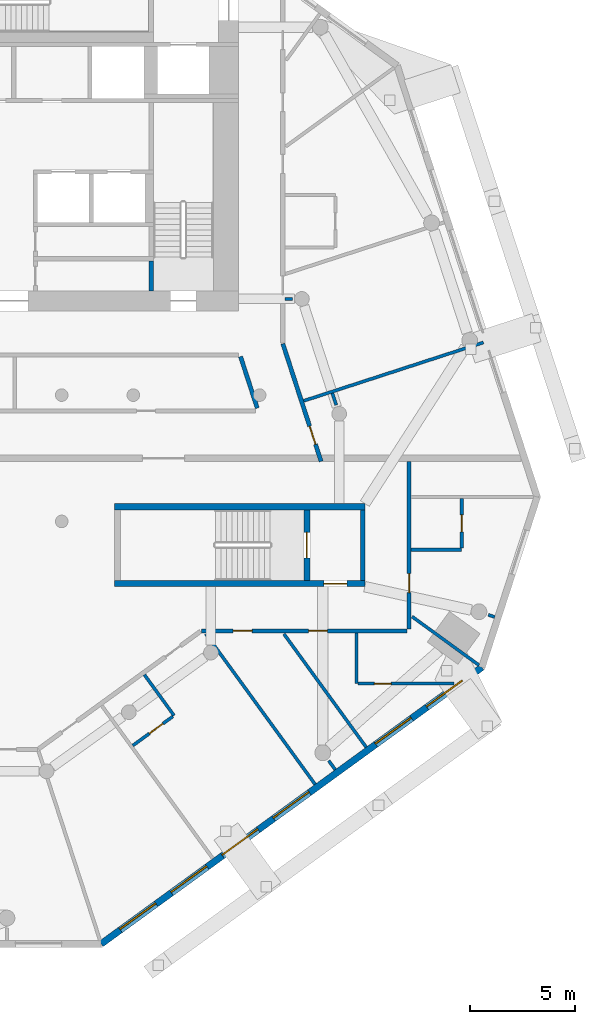
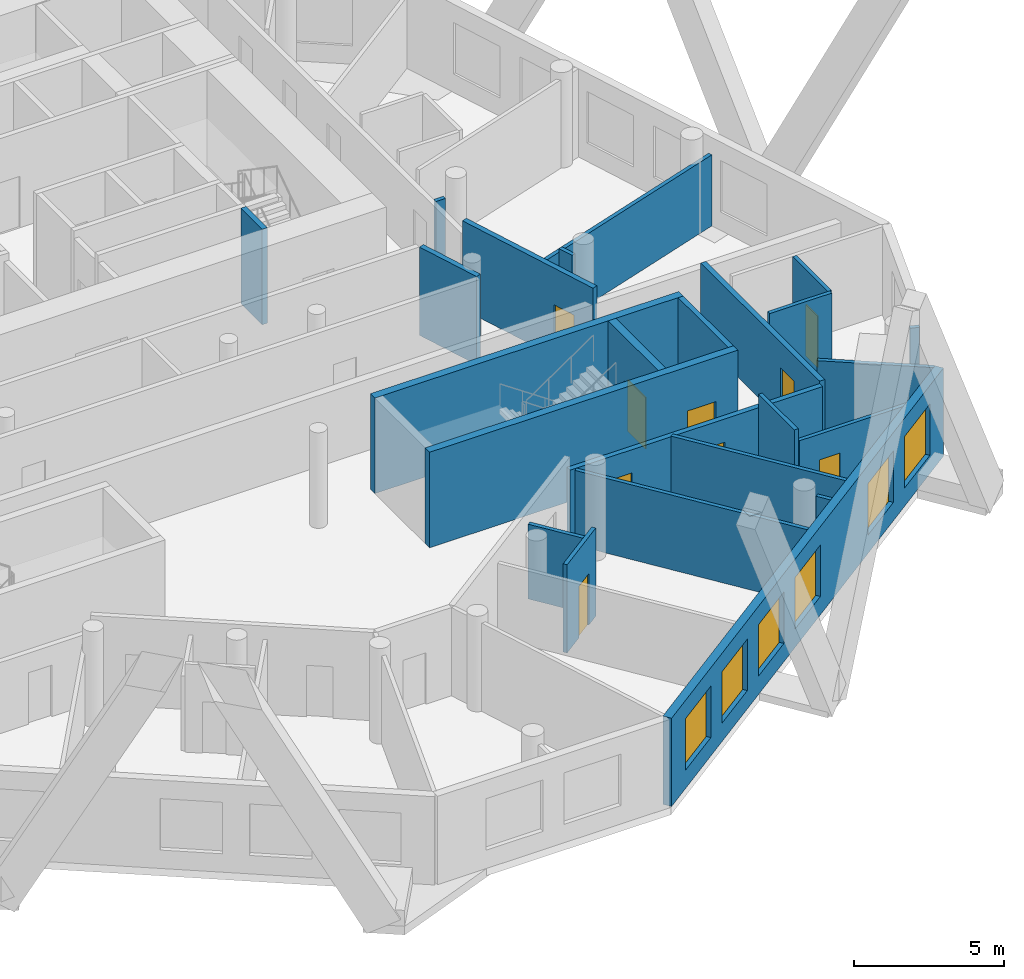
# One storey, part 5 of 10: 24 walls, 9 doors, 6 windows, 15 openings.
"""IFC4 building model written with IfcOpenShell, lengths in metres."""

from ifc_helpers import new_model, si_unit, direction, frame, frame_2d, origin, place, context, subcontext, project, spatial, rectangle, extrude, material, layer, layer_set, type_object, element, fill, save


model = new_model("IFC4")

# Units and contexts
model_context = context("Model", 3, precision=1e-05, world=origin(), true_north=direction((0.0, 1.0)))
body_context = subcontext(model_context, "Body", "Model", "MODEL_VIEW")
ifc_project = project(units=[si_unit("LENGTHUNIT", "METRE"), si_unit("AREAUNIT", "SQUARE_METRE"), si_unit("VOLUMEUNIT", "CUBIC_METRE"), si_unit("PLANEANGLEUNIT", "RADIAN"), si_unit("MASSUNIT", "GRAM", prefix="KILO")], contexts=[model_context])

# Site, building, storey
site_placement = place(None, origin())
site = spatial("IfcSite", under=ifc_project, at=site_placement, CompositionType="ELEMENT")
building_placement = place(site_placement, origin())
building = spatial("IfcBuilding", under=site, at=building_placement, Name="White Candle Pilgrim Tower", CompositionType="ELEMENT")
storey_placement = place(building_placement, frame((0.0, 0.0, 160.300048828125)))
storey = spatial("IfcBuildingStorey", under=building, at=storey_placement, Name="L36", CompositionType="ELEMENT", Elevation=160.300048828125)

# Wall
ifc_material_1 = material(Name="Concrete C60/75", Category="concrete")
ifc_layer_1 = layer(ifc_material_1, 0.199951171875)
ifc_layer_set_1 = layer_set([ifc_layer_1], Name="Core wall 200 mm Concrete C60/75")
wall_type_1 = type_object("IfcWallType", Name="Core wall 200 mm Concrete C60/75", PredefinedType="SHEAR", material=ifc_layer_set_1)
wall_1_placement = place(storey_placement, frame((86.89990234375, 58.199951171875, 0.0), z_axis=(0.0, 0.0, 1.0), x_axis=(0.0, 1.0, 0.0)))
element("IfcWall", 1, at=wall_1_placement, inside=storey, type_object=wall_type_1, Name="WL-L36-C08", PredefinedType="SHEAR", context=body_context, shape_type="SweptSolid", body=[
    extrude(rectangle(XDim=3.35009765625, YDim=0.199951171875, at=frame_2d((1.675048828125, 0.0))), origin(), (0.0, 0.0, 1.0), 3.89990234375),
])

# Wall, opening, door
ifc_material_2 = material(Name="Gypsum board on steel studs", Category="steel")
ifc_layer_2 = layer(ifc_material_2, 0.199951171875)
ifc_layer_set_2 = layer_set([ifc_layer_2], Name="Corridor wall 200 mm EI 45")
wall_type_2 = type_object("IfcWallType", Name="Corridor wall 200 mm EI 45", PredefinedType="PARTITIONING", material=ifc_layer_set_2)
wall_2_placement = place(storey_placement, frame((83.10498046875, 69.44189453125, 0.0), z_axis=(0.0, 0.0, 1.0), x_axis=(0.309018469575, -0.951056036972, 0.0)))
wall_2 = element("IfcWall", 2, at=wall_2_placement, inside=storey, type_object=wall_type_2, Name="WL-L36-P005", PredefinedType="PARTITIONING", context=body_context, shape_type="SweptSolid", body=[
    extrude(rectangle(XDim=5.879638671875, YDim=0.199951171875, at=frame_2d((2.93994140625, 0.0))), origin(), (0.0, 0.0, 1.0), 3.599853515625),
])
opening_1_placement = place(wall_2_placement, frame((4.11865234375, 0.0, 0.0)))
opening_1 = element("IfcOpeningElement", 3, at=opening_1_placement, cuts=wall_2, Name="Opening T11-133", PredefinedType="OPENING", context=body_context, shape_type="SweptSolid", body=[
    extrude(rectangle(XDim=0.89990234375, YDim=2.10009765625, at=frame_2d((0.449951171875, 1.050048828125))), frame((0.0, 0.10986328125, 0.0), z_axis=(0.0, -1.0, 0.0), x_axis=(1.0, 0.0, 0.0)), (0.0, 0.0, 1.0), 0.219970703125),
])
ifc_material_3 = material(Name="Steel door leaf", Category="steel")
door_type_1 = type_object("IfcDoorType", Name="Fire door 900 x 2100 EI 30", OperationType="NOTDEFINED", PredefinedType="DOOR", material=ifc_material_3)
door_1_placement = place(opening_1_placement, origin())
door_1 = element("IfcDoor", 4, at=door_1_placement, inside=storey, type_object=door_type_1, Name="Door T11-133", OperationType="SINGLE_SWING_LEFT", OverallHeight=2.10009765625, OverallWidth=0.89990234375, PredefinedType="DOOR", context=body_context, shape_type="SweptSolid", body=[
    extrude(rectangle(XDim=0.89990234375, YDim=2.10009765625, at=frame_2d((0.449951171875, 1.050048828125))), frame((0.0, 0.02490234375, 0.0), z_axis=(0.0, -1.0, 0.0), x_axis=(1.0, 0.0, 0.0)), (0.0, 0.0, 1.0), 0.050048828125),
])
fill(opening_1, door_1)

wall_3_placement = place(storey_placement, frame((89.10009765625, 63.85009765625, 0.0), z_axis=(0.0, 0.0, 1.0), x_axis=(0.0, -1.0, 0.0)))
wall_3 = element("IfcWall", 5, at=wall_3_placement, inside=storey, type_object=wall_type_2, Name="WL-L36-P006", PredefinedType="PARTITIONING", context=body_context, shape_type="SweptSolid", body=[
    extrude(rectangle(XDim=7.9501953125, YDim=0.199951171875, at=frame_2d((3.97509765625, 0.0))), origin(), (0.0, 0.0, 1.0), 3.14990234375),
])
opening_2_placement = place(wall_3_placement, frame((5.32861328125, 0.0, 0.0)))
opening_2 = element("IfcOpeningElement", 6, at=opening_2_placement, cuts=wall_3, Name="Opening T11-118", PredefinedType="OPENING", context=body_context, shape_type="SweptSolid", body=[
    extrude(rectangle(XDim=0.89990234375, YDim=2.10009765625, at=frame_2d((0.449951171875, 1.050048828125))), frame((0.0, 0.10986328125, 0.0), z_axis=(0.0, -1.0, 0.0), x_axis=(1.0, 0.0, 0.0)), (0.0, 0.0, 1.0), 0.219970703125),
])
door_2_placement = place(opening_2_placement, origin())
door_2 = element("IfcDoor", 7, at=door_2_placement, inside=storey, type_object=door_type_1, Name="Door T11-118", OperationType="SINGLE_SWING_RIGHT", OverallHeight=2.10009765625, OverallWidth=0.89990234375, PredefinedType="DOOR", context=body_context, shape_type="SweptSolid", body=[
    extrude(rectangle(XDim=0.89990234375, YDim=2.10009765625, at=frame_2d((0.449951171875, 1.050048828125))), frame((0.0, 0.02490234375, 0.0), z_axis=(0.0, -1.0, 0.0), x_axis=(1.0, 0.0, 0.0)), (0.0, 0.0, 1.0), 0.050048828125),
])
fill(opening_2, door_2)

# Wall, openings, doors
wall_4_placement = place(storey_placement, frame((89.0, 55.800048828125, 0.0), z_axis=(0.0, 0.0, 1.0), x_axis=(-1.0, 0.0, 0.0)))
wall_4 = element("IfcWall", 8, at=wall_4_placement, inside=storey, type_object=wall_type_2, Name="WL-L36-P007", PredefinedType="PARTITIONING", context=body_context, shape_type="SweptSolid", body=[
    extrude(rectangle(XDim=9.74853515625, YDim=0.199951171875, at=frame_2d((4.874267578125, 0.0))), origin(), (0.0, 0.0, 1.0), 3.050048828125),
])
opening_3_placement = place(wall_4_placement, frame((7.353515625, 0.0, 0.0)))
opening_3 = element("IfcOpeningElement", 9, at=opening_3_placement, cuts=wall_4, Name="Opening T11-114", PredefinedType="OPENING", context=body_context, shape_type="SweptSolid", body=[
    extrude(rectangle(XDim=0.89990234375, YDim=2.10009765625, at=frame_2d((0.449951171875, 1.050048828125))), frame((0.0, 0.10986328125, 0.0), z_axis=(0.0, -1.0, 0.0), x_axis=(1.0, 0.0, 0.0)), (0.0, 0.0, 1.0), 0.219970703125),
])
opening_4_placement = place(wall_4_placement, frame((3.77490234375, 0.0, 0.0)))
opening_4 = element("IfcOpeningElement", 10, at=opening_4_placement, cuts=wall_4, Name="Opening T11-116", PredefinedType="OPENING", context=body_context, shape_type="SweptSolid", body=[
    extrude(rectangle(XDim=0.89990234375, YDim=2.10009765625, at=frame_2d((0.449951171875, 1.050048828125))), frame((0.0, 0.10986328125, 0.0), z_axis=(0.0, -1.0, 0.0), x_axis=(1.0, 0.0, 0.0)), (0.0, 0.0, 1.0), 0.219970703125),
])
door_3_placement = place(opening_3_placement, origin())
door_3 = element("IfcDoor", 11, at=door_3_placement, inside=storey, type_object=door_type_1, Name="Door T11-114", OperationType="SINGLE_SWING_RIGHT", OverallHeight=2.10009765625, OverallWidth=0.89990234375, PredefinedType="DOOR", context=body_context, shape_type="SweptSolid", body=[
    extrude(rectangle(XDim=0.89990234375, YDim=2.10009765625, at=frame_2d((0.449951171875, 1.050048828125))), frame((0.0, 0.02490234375, 0.0), z_axis=(0.0, -1.0, 0.0), x_axis=(1.0, 0.0, 0.0)), (0.0, 0.0, 1.0), 0.050048828125),
])
fill(opening_3, door_3)
door_4_placement = place(opening_4_placement, origin())
door_4 = element("IfcDoor", 12, at=door_4_placement, inside=storey, type_object=door_type_1, Name="Door T11-116", OperationType="SINGLE_SWING_RIGHT", OverallHeight=2.10009765625, OverallWidth=0.89990234375, PredefinedType="DOOR", context=body_context, shape_type="SweptSolid", body=[
    extrude(rectangle(XDim=0.89990234375, YDim=2.10009765625, at=frame_2d((0.449951171875, 1.050048828125))), frame((0.0, 0.02490234375, 0.0), z_axis=(0.0, -1.0, 0.0), x_axis=(1.0, 0.0, 0.0)), (0.0, 0.0, 1.0), 0.050048828125),
])
fill(opening_4, door_4)

# Wall
wall_5_placement = place(storey_placement, frame((81.891357421875, 66.380859375, 0.0), z_axis=(0.0, 0.0, 1.0), x_axis=(-0.309053927645, 0.951044515155, 0.0)))
element("IfcWall", 13, at=wall_5_placement, inside=storey, type_object=wall_type_2, Name="WL-L36-P016", PredefinedType="PARTITIONING", context=body_context, shape_type="SweptSolid", body=[
    extrude(rectangle(XDim=2.576171875, YDim=0.199951171875, at=frame_2d((1.2880859375, 0.0))), origin(), (0.0, 0.0, 1.0), 3.599853515625),
])

# Wall, openings, windows
ifc_material_4 = material(Name="Precast concrete C40/50", Category="concrete")
ifc_layer_3 = layer(ifc_material_4, 0.320068359375)
ifc_layer_set_3 = layer_set([ifc_layer_3], Name="Facade wall EW1 precast concrete C40/50 pier wall with timber-lined reveals")
wall_type_3 = type_object("IfcWallType", Name="Facade wall EW1 precast concrete C40/50 pier wall with timber-lined reveals", PredefinedType="SOLIDWALL", material=ifc_layer_set_3)
wall_6_placement = place(storey_placement, frame((74.475341796875, 40.932373046875, 0.0), z_axis=(0.0, 0.0, 1.0), x_axis=(0.809019373805, 0.587781977274, 0.0)))
wall_6 = element("IfcWall", 14, at=wall_6_placement, inside=storey, type_object=wall_type_3, Name="Facade wall L36 SE", PredefinedType="SOLIDWALL", context=body_context, shape_type="SweptSolid", body=[
    extrude(rectangle(XDim=22.35302734375, YDim=0.320068359375, at=frame_2d((11.176513671875, 0.0))), origin(), (0.0, 0.0, 1.0), 3.599853515625),
])
opening_5_placement = place(wall_6_placement, frame((1.12646484375, 0.0, 0.75)))
opening_5 = element("IfcOpeningElement", 15, at=opening_5_placement, cuts=wall_6, Name="Opening W3", PredefinedType="OPENING", context=body_context, shape_type="SweptSolid", body=[
    extrude(rectangle(XDim=2.10009765625, YDim=2.10009765625, at=frame_2d((1.050048828125, 1.050048828125))), frame((0.0, 0.169921875, 0.0), z_axis=(0.0, -1.0, 0.0), x_axis=(1.0, 0.0, 0.0)), (0.0, 0.0, 1.0), 0.340087890625),
])
opening_6_placement = place(wall_6_placement, frame((4.12646484375, 0.0, 0.75)))
opening_6 = element("IfcOpeningElement", 16, at=opening_6_placement, cuts=wall_6, Name="Opening W3", PredefinedType="OPENING", context=body_context, shape_type="SweptSolid", body=[
    extrude(rectangle(XDim=2.10009765625, YDim=2.10009765625, at=frame_2d((1.050048828125, 1.050048828125))), frame((0.0, 0.169921875, 0.0), z_axis=(0.0, -1.0, 0.0), x_axis=(1.0, 0.0, 0.0)), (0.0, 0.0, 1.0), 0.340087890625),
])
opening_7_placement = place(wall_6_placement, frame((7.12646484375, 0.0, 0.75)))
opening_7 = element("IfcOpeningElement", 17, at=opening_7_placement, cuts=wall_6, Name="Opening W3", PredefinedType="OPENING", context=body_context, shape_type="SweptSolid", body=[
    extrude(rectangle(XDim=2.10009765625, YDim=2.10009765625, at=frame_2d((1.050048828125, 1.050048828125))), frame((0.0, 0.169921875, 0.0), z_axis=(0.0, -1.0, 0.0), x_axis=(1.0, 0.0, 0.0)), (0.0, 0.0, 1.0), 0.340087890625),
])
opening_8_placement = place(wall_6_placement, frame((10.12646484375, 0.0, 0.75)))
opening_8 = element("IfcOpeningElement", 18, at=opening_8_placement, cuts=wall_6, Name="Opening W3", PredefinedType="OPENING", context=body_context, shape_type="SweptSolid", body=[
    extrude(rectangle(XDim=2.10009765625, YDim=2.10009765625, at=frame_2d((1.050048828125, 1.050048828125))), frame((0.0, 0.169921875, 0.0), z_axis=(0.0, -1.0, 0.0), x_axis=(1.0, 0.0, 0.0)), (0.0, 0.0, 1.0), 0.340087890625),
])
opening_9_placement = place(wall_6_placement, frame((16.12646484375, 0.0, 0.75)))
opening_9 = element("IfcOpeningElement", 19, at=opening_9_placement, cuts=wall_6, Name="Opening W3", PredefinedType="OPENING", context=body_context, shape_type="SweptSolid", body=[
    extrude(rectangle(XDim=2.10009765625, YDim=2.10009765625, at=frame_2d((1.050048828125, 1.050048828125))), frame((0.0, 0.169921875, 0.0), z_axis=(0.0, -1.0, 0.0), x_axis=(1.0, 0.0, 0.0)), (0.0, 0.0, 1.0), 0.340087890625),
])
opening_10_placement = place(wall_6_placement, frame((19.12646484375, 0.0, 0.75)))
opening_10 = element("IfcOpeningElement", 20, at=opening_10_placement, cuts=wall_6, Name="Opening W3", PredefinedType="OPENING", context=body_context, shape_type="SweptSolid", body=[
    extrude(rectangle(XDim=2.10009765625, YDim=2.10009765625, at=frame_2d((1.050048828125, 1.050048828125))), frame((0.0, 0.169921875, 0.0), z_axis=(0.0, -1.0, 0.0), x_axis=(1.0, 0.0, 0.0)), (0.0, 0.0, 1.0), 0.340087890625),
])
ifc_material_5 = material(Name="Timber frame with triple glazing", Category="wood")
window_type = type_object("IfcWindowType", Name="Window W3 2100x2100 timber frame triple glazing", PartitioningType="SINGLE_PANEL", PredefinedType="WINDOW", material=ifc_material_5)
window_1_placement = place(opening_5_placement, origin())
window_1 = element("IfcWindow", 21, at=window_1_placement, inside=storey, type_object=window_type, Name="Window W3 L36 SE 1", OverallHeight=2.10009765625, OverallWidth=2.10009765625, PartitioningType="SINGLE_PANEL", PredefinedType="WINDOW", context=body_context, shape_type="SweptSolid", body=[
    extrude(rectangle(XDim=2.10009765625, YDim=2.10009765625, at=frame_2d((1.050048828125, 1.050048828125))), frame((0.0, 0.070068359375, 0.0), z_axis=(0.0, -1.0, 0.0), x_axis=(1.0, 0.0, 0.0)), (0.0, 0.0, 1.0), 0.06005859375),
])
fill(opening_5, window_1)
window_2_placement = place(opening_6_placement, origin())
window_2 = element("IfcWindow", 22, at=window_2_placement, inside=storey, type_object=window_type, Name="Window W3 L36 SE 2", OverallHeight=2.10009765625, OverallWidth=2.10009765625, PartitioningType="SINGLE_PANEL", PredefinedType="WINDOW", context=body_context, shape_type="SweptSolid", body=[
    extrude(rectangle(XDim=2.10009765625, YDim=2.10009765625, at=frame_2d((1.050048828125, 1.050048828125))), frame((0.0, 0.070068359375, 0.0), z_axis=(0.0, -1.0, 0.0), x_axis=(1.0, 0.0, 0.0)), (0.0, 0.0, 1.0), 0.06005859375),
])
fill(opening_6, window_2)
window_3_placement = place(opening_7_placement, origin())
window_3 = element("IfcWindow", 23, at=window_3_placement, inside=storey, type_object=window_type, Name="Window W3 L36 SE 3", OverallHeight=2.10009765625, OverallWidth=2.10009765625, PartitioningType="SINGLE_PANEL", PredefinedType="WINDOW", context=body_context, shape_type="SweptSolid", body=[
    extrude(rectangle(XDim=2.10009765625, YDim=2.10009765625, at=frame_2d((1.050048828125, 1.050048828125))), frame((0.0, 0.070068359375, 0.0), z_axis=(0.0, -1.0, 0.0), x_axis=(1.0, 0.0, 0.0)), (0.0, 0.0, 1.0), 0.06005859375),
])
fill(opening_7, window_3)
window_4_placement = place(opening_8_placement, origin())
window_4 = element("IfcWindow", 24, at=window_4_placement, inside=storey, type_object=window_type, Name="Window W3 L36 SE 4", OverallHeight=2.10009765625, OverallWidth=2.10009765625, PartitioningType="SINGLE_PANEL", PredefinedType="WINDOW", context=body_context, shape_type="SweptSolid", body=[
    extrude(rectangle(XDim=2.10009765625, YDim=2.10009765625, at=frame_2d((1.050048828125, 1.050048828125))), frame((0.0, 0.070068359375, 0.0), z_axis=(0.0, -1.0, 0.0), x_axis=(1.0, 0.0, 0.0)), (0.0, 0.0, 1.0), 0.06005859375),
])
fill(opening_8, window_4)
window_5_placement = place(opening_9_placement, origin())
window_5 = element("IfcWindow", 25, at=window_5_placement, inside=storey, type_object=window_type, Name="Window W3 L36 SE 6", OverallHeight=2.10009765625, OverallWidth=2.10009765625, PartitioningType="SINGLE_PANEL", PredefinedType="WINDOW", context=body_context, shape_type="SweptSolid", body=[
    extrude(rectangle(XDim=2.10009765625, YDim=2.10009765625, at=frame_2d((1.050048828125, 1.050048828125))), frame((0.0, 0.070068359375, 0.0), z_axis=(0.0, -1.0, 0.0), x_axis=(1.0, 0.0, 0.0)), (0.0, 0.0, 1.0), 0.06005859375),
])
fill(opening_9, window_5)
window_6_placement = place(opening_10_placement, origin())
window_6 = element("IfcWindow", 26, at=window_6_placement, inside=storey, type_object=window_type, Name="Window W3 L36 SE 7", OverallHeight=2.10009765625, OverallWidth=2.10009765625, PartitioningType="SINGLE_PANEL", PredefinedType="WINDOW", context=body_context, shape_type="SweptSolid", body=[
    extrude(rectangle(XDim=2.10009765625, YDim=2.10009765625, at=frame_2d((1.050048828125, 1.050048828125))), frame((0.0, 0.070068359375, 0.0), z_axis=(0.0, -1.0, 0.0), x_axis=(1.0, 0.0, 0.0)), (0.0, 0.0, 1.0), 0.06005859375),
])
fill(opening_10, window_6)

# Walls
ifc_layer_4 = layer(ifc_material_2, 0.14990234375)
ifc_layer_set_4 = layer_set([ifc_layer_4], Name="Partition 150 mm EI 60")
wall_type_4 = type_object("IfcWallType", Name="Partition 150 mm EI 60", PredefinedType="PARTITIONING", material=ifc_layer_set_4)
wall_7_placement = place(storey_placement, frame((92.423095703125, 54.169921875, 0.0), z_axis=(0.0, 0.0, 1.0), x_axis=(-0.809026161047, 0.587772635244, 0.0)))
element("IfcWall", 27, at=wall_7_placement, inside=storey, type_object=wall_type_4, Name="WL-L36-P022", PredefinedType="PARTITIONING", context=body_context, shape_type="SweptSolid", body=[
    extrude(rectangle(XDim=3.929443359375, YDim=0.14990234375, at=frame_2d((1.96484375, 0.0))), origin(), (0.0, 0.0, 1.0), 3.599853515625),
])
wall_8_placement = place(storey_placement, frame((84.63671875, 48.5126953125, 0.0), z_axis=(0.0, 0.0, 1.0), x_axis=(-0.587768822725, 0.809028930899, 0.0)))
element("IfcWall", 28, at=wall_8_placement, inside=storey, type_object=wall_type_4, Name="WL-L36-P041", PredefinedType="PARTITIONING", context=body_context, shape_type="SweptSolid", body=[
    extrude(rectangle(XDim=8.82958984375, YDim=0.14990234375, at=frame_2d((4.414794921875, 0.0))), origin(), (0.0, 0.0, 1.0), 3.050048828125),
])
wall_9_placement = place(storey_placement, frame((87.063720703125, 50.276123046875, 0.0), z_axis=(0.0, 0.0, 1.0), x_axis=(-0.587783062089, 0.809018585646, 0.0)))
element("IfcWall", 29, at=wall_9_placement, inside=storey, type_object=wall_type_4, Name="WL-L36-P042", PredefinedType="PARTITIONING", context=body_context, shape_type="SweptSolid", body=[
    extrude(rectangle(XDim=6.64990234375, YDim=0.14990234375, at=frame_2d((3.324951171875, 0.0))), origin(), (0.0, 0.0, 1.0), 3.14990234375),
])
wall_10_placement = place(storey_placement, frame((76.52685546875, 53.720458984375, 0.0), z_axis=(0.0, 0.0, 1.0), x_axis=(0.587772420479, -0.809026317077, 0.0)))
element("IfcWall", 30, at=wall_10_placement, inside=storey, type_object=wall_type_4, Name="WL-L36-P043", PredefinedType="PARTITIONING", context=body_context, shape_type="SweptSolid", body=[
    extrude(rectangle(XDim=2.39990234375, YDim=0.14990234375, at=frame_2d((1.199951171875, 0.0))), origin(), (0.0, 0.0, 1.0), 3.050048828125),
])

# Wall, opening, door
wall_11_placement = place(storey_placement, frame((75.9755859375, 50.353515625, 0.0), z_axis=(0.0, 0.0, 1.0), x_axis=(0.809032466197, 0.587763956567, 0.0)))
wall_11 = element("IfcWall", 31, at=wall_11_placement, inside=storey, type_object=wall_type_4, Name="WL-L36-P044", PredefinedType="PARTITIONING", context=body_context, shape_type="SweptSolid", body=[
    extrude(rectangle(XDim=2.35009765625, YDim=0.14990234375, at=frame_2d((1.175048828125, 0.0))), origin(), (0.0, 0.0, 1.0), 3.599853515625),
])
opening_11_placement = place(wall_11_placement, frame((0.97509765625, 0.0, 0.0)))
opening_11 = element("IfcOpeningElement", 32, at=opening_11_placement, cuts=wall_11, Name="Opening T11-112", PredefinedType="OPENING", context=body_context, shape_type="SweptSolid", body=[
    extrude(rectangle(XDim=0.800048828125, YDim=2.10009765625, at=frame_2d((0.39990234375, 1.050048828125))), frame((0.0, 0.0849609375, 0.0), z_axis=(0.0, -1.0, 0.0), x_axis=(1.0, 0.0, 0.0)), (0.0, 0.0, 1.0), 0.169921875),
])
door_type_2 = type_object("IfcDoorType", Name="Fire door 800 x 2100 EI 30", OperationType="NOTDEFINED", PredefinedType="DOOR", material=ifc_material_3)
door_5_placement = place(opening_11_placement, frame((0.800048828125, 0.0, 0.0), z_axis=(0.0, 0.0, 1.0), x_axis=(-1.0, 0.0, 0.0)))
door_5 = element("IfcDoor", 33, at=door_5_placement, inside=storey, type_object=door_type_2, Name="Door T11-112", OperationType="SINGLE_SWING_LEFT", OverallHeight=2.10009765625, OverallWidth=0.800048828125, PredefinedType="DOOR", context=body_context, shape_type="SweptSolid", body=[
    extrude(rectangle(XDim=0.800048828125, YDim=2.10009765625, at=frame_2d((0.39990234375, 1.050048828125))), frame((0.0, 0.02490234375, 0.0), z_axis=(0.0, -1.0, 0.0), x_axis=(1.0, 0.0, 0.0)), (0.0, 0.0, 1.0), 0.050048828125),
])
fill(opening_11, door_5)

# Wall
wall_12_placement = place(storey_placement, frame((86.60009765625, 55.699951171875, 0.0), z_axis=(0.0, 0.0, 1.0), x_axis=(0.0, -1.0, 0.0)))
element("IfcWall", 34, at=wall_12_placement, inside=storey, type_object=wall_type_4, Name="WL-L36-P045", PredefinedType="PARTITIONING", context=body_context, shape_type="SweptSolid", body=[
    extrude(rectangle(XDim=2.39990234375, YDim=0.14990234375, at=frame_2d((1.199951171875, 0.0))), origin(), (0.0, 0.0, 1.0), 3.599853515625),
])

# Wall, opening, door
wall_13_placement = place(storey_placement, frame((91.225830078125, 53.300048828125, 0.0), z_axis=(0.0, 0.0, 1.0), x_axis=(-1.0, 0.0, 0.0)))
wall_13 = element("IfcWall", 35, at=wall_13_placement, inside=storey, type_object=wall_type_4, Name="WL-L36-P046", PredefinedType="PARTITIONING", context=body_context, shape_type="SweptSolid", body=[
    extrude(rectangle(XDim=4.55078125, YDim=0.14990234375, at=frame_2d((2.275390625, 0.0))), origin(), (0.0, 0.0, 1.0), 3.14990234375),
])
opening_12_placement = place(wall_13_placement, frame((2.975830078125, 0.0, 0.0)))
opening_12 = element("IfcOpeningElement", 36, at=opening_12_placement, cuts=wall_13, Name="Opening T11-115", PredefinedType="OPENING", context=body_context, shape_type="SweptSolid", body=[
    extrude(rectangle(XDim=0.800048828125, YDim=2.10009765625, at=frame_2d((0.39990234375, 1.050048828125))), frame((0.0, 0.0849609375, 0.0), z_axis=(0.0, -1.0, 0.0), x_axis=(1.0, 0.0, 0.0)), (0.0, 0.0, 1.0), 0.169921875),
])
door_6_placement = place(opening_12_placement, origin())
door_6 = element("IfcDoor", 37, at=door_6_placement, inside=storey, type_object=door_type_2, Name="Door T11-115", OperationType="SINGLE_SWING_LEFT", OverallHeight=2.10009765625, OverallWidth=0.800048828125, PredefinedType="DOOR", context=body_context, shape_type="SweptSolid", body=[
    extrude(rectangle(XDim=0.800048828125, YDim=2.10009765625, at=frame_2d((0.39990234375, 1.050048828125))), frame((0.0, 0.02490234375, 0.0), z_axis=(0.0, -1.0, 0.0), x_axis=(1.0, 0.0, 0.0)), (0.0, 0.0, 1.0), 0.050048828125),
])
fill(opening_12, door_6)

# Wall
wall_14_placement = place(storey_placement, frame((89.199951171875, 59.658447265625, 0.0), z_axis=(0.0, 0.0, 1.0), x_axis=(1.0, 0.0, 0.0)))
element("IfcWall", 38, at=wall_14_placement, inside=storey, type_object=wall_type_4, Name="WL-L36-P047", PredefinedType="PARTITIONING", context=body_context, shape_type="SweptSolid", body=[
    extrude(rectangle(XDim=2.400146484375, YDim=0.14990234375, at=frame_2d((1.2001953125, 0.0))), origin(), (0.0, 0.0, 1.0), 3.599853515625),
])

# Wall, opening, door
wall_15_placement = place(storey_placement, frame((91.60009765625, 62.08349609375, 0.0), z_axis=(0.0, 0.0, 1.0), x_axis=(0.0, -1.0, 0.0)))
wall_15 = element("IfcWall", 39, at=wall_15_placement, inside=storey, type_object=wall_type_4, Name="WL-L36-P048", PredefinedType="PARTITIONING", context=body_context, shape_type="SweptSolid", body=[
    extrude(rectangle(XDim=2.35009765625, YDim=0.14990234375, at=frame_2d((1.175048828125, 0.0))), origin(), (0.0, 0.0, 1.0), 3.599853515625),
])
opening_13_placement = place(wall_15_placement, frame((0.77490234375, 0.0, 0.0)))
opening_13 = element("IfcOpeningElement", 40, at=opening_13_placement, cuts=wall_15, Name="Opening T11-117", PredefinedType="OPENING", context=body_context, shape_type="SweptSolid", body=[
    extrude(rectangle(XDim=0.800048828125, YDim=2.10009765625, at=frame_2d((0.39990234375, 1.050048828125))), frame((0.0, 0.0849609375, 0.0), z_axis=(0.0, -1.0, 0.0), x_axis=(1.0, 0.0, 0.0)), (0.0, 0.0, 1.0), 0.169921875),
])
door_7_placement = place(opening_13_placement, origin())
door_7 = element("IfcDoor", 41, at=door_7_placement, inside=storey, type_object=door_type_2, Name="Door T11-117", OperationType="SINGLE_SWING_LEFT", OverallHeight=2.10009765625, OverallWidth=0.800048828125, PredefinedType="DOOR", context=body_context, shape_type="SweptSolid", body=[
    extrude(rectangle(XDim=0.800048828125, YDim=2.10009765625, at=frame_2d((0.39990234375, 1.050048828125))), frame((0.0, 0.02490234375, 0.0), z_axis=(0.0, -1.0, 0.0), x_axis=(1.0, 0.0, 0.0)), (0.0, 0.0, 1.0), 0.050048828125),
])
fill(opening_13, door_7)

# Walls
wall_16_placement = place(storey_placement, frame((92.6328125, 69.50146484375, 0.0), z_axis=(0.0, 0.0, 1.0), x_axis=(-0.951051249243, -0.309033204224, 0.0)))
element("IfcWall", 42, at=wall_16_placement, inside=storey, type_object=wall_type_4, Name="WL-L36-P049", PredefinedType="PARTITIONING", context=body_context, shape_type="SweptSolid", body=[
    extrude(rectangle(XDim=8.97998046875, YDim=0.14990234375, at=frame_2d((4.489990234375, 0.0))), origin(), (0.0, 0.0, 1.0), 2.89990234375),
])
wall_17_placement = place(storey_placement, frame((85.28076171875, 49.639404296875, 0.0), z_axis=(0.0, 0.0, 1.0), x_axis=(0.587763032522, -0.809033137517, 0.0)))
element("IfcWall", 43, at=wall_17_placement, inside=storey, type_object=wall_type_4, Name="WL-L36-P059", PredefinedType="PARTITIONING", context=body_context, shape_type="SweptSolid", body=[
    extrude(rectangle(XDim=0.532958984375, YDim=0.14990234375, at=frame_2d((0.2666015625, 0.0))), origin(), (0.0, 0.0, 1.0), 3.599853515625),
])
wall_18_placement = place(storey_placement, frame((92.861083984375, 56.56298828125, 0.0), z_axis=(0.0, 0.0, 1.0), x_axis=(0.95100073077, -0.309188631864, 0.0)))
element("IfcWall", 44, at=wall_18_placement, inside=storey, type_object=wall_type_4, Name="WL-L36-P060", PredefinedType="PARTITIONING", context=body_context, shape_type="SweptSolid", body=[
    extrude(rectangle(XDim=0.322998046875, YDim=0.14990234375, at=frame_2d((0.16162109375, 0.0))), origin(), (0.0, 0.0, 1.0), 3.599853515625),
])
wall_19_placement = place(storey_placement, frame((85.64111328125, 66.52734375, 0.0), z_axis=(0.0, 0.0, 1.0), x_axis=(-0.309179160729, 0.951003809966, 0.0)))
element("IfcWall", 45, at=wall_19_placement, inside=storey, type_object=wall_type_4, Name="WL-L36-P061", PredefinedType="PARTITIONING", context=body_context, shape_type="SweptSolid", body=[
    extrude(rectangle(XDim=0.593017578125, YDim=0.14990234375, at=frame_2d((0.29638671875, 0.0))), origin(), (0.0, 0.0, 1.0), 3.050048828125),
])
wall_20_placement = place(storey_placement, frame((83.570068359375, 71.567626953125, 0.0), z_axis=(0.0, 0.0, 1.0), x_axis=(-1.0, 0.0, 0.0)))
element("IfcWall", 46, at=wall_20_placement, inside=storey, type_object=wall_type_4, Name="WL-L36-P062", PredefinedType="PARTITIONING", context=body_context, shape_type="SweptSolid", body=[
    extrude(rectangle(XDim=0.3701171875, YDim=0.14990234375, at=frame_2d((0.18505859375, 0.0))), origin(), (0.0, 0.0, 1.0), 3.050048828125),
])
ifc_layer_5 = layer(ifc_material_1, 0.199951171875)
ifc_layer_set_5 = layer_set([ifc_layer_5], Name="Stair shaft wall 200 mm Concrete C60/75")
wall_type_5 = type_object("IfcWallType", Name="Stair shaft wall 200 mm Concrete C60/75", PredefinedType="SHEAR", material=ifc_layer_set_5)
wall_21_placement = place(storey_placement, frame((76.85009765625, 71.949951171875, 0.0), z_axis=(0.0, 0.0, 1.0), x_axis=(0.0, 1.0, 0.0)))
element("IfcWall", 47, at=wall_21_placement, inside=storey, type_object=wall_type_5, Name="WL-L36-C16", PredefinedType="SHEAR", context=body_context, shape_type="SweptSolid", body=[
    extrude(rectangle(XDim=1.425048828125, YDim=0.199951171875, at=frame_2d((0.71240234375, 0.0))), origin(), (0.0, 0.0, 1.0), 3.89990234375),
])

# Wall, opening, door
ifc_layer_6 = layer(ifc_material_1, 0.300048828125)
ifc_layer_set_6 = layer_set([ifc_layer_6], Name="Stair shaft wall 300 mm Concrete C60/75")
wall_type_6 = type_object("IfcWallType", Name="Stair shaft wall 300 mm Concrete C60/75", PredefinedType="SHEAR", material=ifc_layer_set_6)
wall_22_placement = place(storey_placement, frame((75.10009765625, 58.050048828125, 0.0), z_axis=(0.0, 0.0, 1.0), x_axis=(1.0, 0.0, 0.0)))
wall_22 = element("IfcWall", 48, at=wall_22_placement, inside=storey, type_object=wall_type_6, Name="WL-L36-C02", PredefinedType="SHEAR", context=body_context, shape_type="SweptSolid", body=[
    extrude(rectangle(XDim=11.89990234375, YDim=0.300048828125, at=frame_2d((5.949951171875, 0.0))), origin(), (0.0, 0.0, 1.0), 3.89990234375),
])
opening_14_placement = place(wall_22_placement, frame((9.949951171875, 0.0, 0.0)))
opening_14 = element("IfcOpeningElement", 49, at=opening_14_placement, cuts=wall_22, Name="Opening T11-012", PredefinedType="OPENING", context=body_context, shape_type="SweptSolid", body=[
    extrude(rectangle(XDim=1.10009765625, YDim=2.10009765625, at=frame_2d((0.550048828125, 1.050048828125))), frame((0.0, 0.159912109375, 0.0), z_axis=(0.0, -1.0, 0.0), x_axis=(1.0, 0.0, 0.0)), (0.0, 0.0, 1.0), 0.320068359375),
])
door_type_3 = type_object("IfcDoorType", Name="Fire door 1100 x 2100 EI 60", OperationType="NOTDEFINED", PredefinedType="DOOR", material=ifc_material_3)
door_8_placement = place(opening_14_placement, origin())
door_8 = element("IfcDoor", 50, at=door_8_placement, inside=storey, type_object=door_type_3, Name="Door T11-012", OperationType="SINGLE_SWING_RIGHT", OverallHeight=2.10009765625, OverallWidth=1.10009765625, PredefinedType="DOOR", context=body_context, shape_type="SweptSolid", body=[
    extrude(rectangle(XDim=1.10009765625, YDim=2.10009765625, at=frame_2d((0.550048828125, 1.050048828125))), frame((0.0, 0.02490234375, 0.0), z_axis=(0.0, -1.0, 0.0), x_axis=(1.0, 0.0, 0.0)), (0.0, 0.0, 1.0), 0.050048828125),
])
fill(opening_14, door_8)

wall_23_placement = place(storey_placement, frame((84.25, 58.199951171875, 0.0), z_axis=(0.0, 0.0, 1.0), x_axis=(0.0, 1.0, 0.0)))
wall_23 = element("IfcWall", 51, at=wall_23_placement, inside=storey, type_object=wall_type_6, Name="WL-L36-C07", PredefinedType="SHEAR", context=body_context, shape_type="SweptSolid", body=[
    extrude(rectangle(XDim=3.35009765625, YDim=0.300048828125, at=frame_2d((1.675048828125, 0.0))), origin(), (0.0, 0.0, 1.0), 3.89990234375),
])
opening_15_placement = place(wall_23_placement, frame((1.074951171875, 0.0, 0.0)))
opening_15 = element("IfcOpeningElement", 52, at=opening_15_placement, cuts=wall_23, Name="Opening T11-013", PredefinedType="OPENING", context=body_context, shape_type="SweptSolid", body=[
    extrude(rectangle(XDim=1.199951171875, YDim=2.10009765625, at=frame_2d((0.60009765625, 1.050048828125))), frame((0.0, 0.159912109375, 0.0), z_axis=(0.0, -1.0, 0.0), x_axis=(1.0, 0.0, 0.0)), (0.0, 0.0, 1.0), 0.320068359375),
])
door_type_4 = type_object("IfcDoorType", Name="Fire door 1200 x 2100 EI 60", OperationType="NOTDEFINED", PredefinedType="DOOR", material=ifc_material_3)
door_9_placement = place(opening_15_placement, origin())
door_9 = element("IfcDoor", 53, at=door_9_placement, inside=storey, type_object=door_type_4, Name="Door T11-013", OperationType="SINGLE_SWING_LEFT", OverallHeight=2.10009765625, OverallWidth=1.199951171875, PredefinedType="DOOR", context=body_context, shape_type="SweptSolid", body=[
    extrude(rectangle(XDim=1.199951171875, YDim=2.10009765625, at=frame_2d((0.60009765625, 1.050048828125))), frame((0.0, 0.02490234375, 0.0), z_axis=(0.0, -1.0, 0.0), x_axis=(1.0, 0.0, 0.0)), (0.0, 0.0, 1.0), 0.050048828125),
])
fill(opening_15, door_9)

# Wall
wall_24_placement = place(storey_placement, frame((75.10009765625, 61.699951171875, 0.0), z_axis=(0.0, 0.0, 1.0), x_axis=(1.0, 0.0, 0.0)))
element("IfcWall", 54, at=wall_24_placement, inside=storey, type_object=wall_type_6, Name="WL-L36-C10", PredefinedType="SHEAR", context=body_context, shape_type="SweptSolid", body=[
    extrude(rectangle(XDim=11.89990234375, YDim=0.300048828125, at=frame_2d((5.949951171875, 0.0))), origin(), (0.0, 0.0, 1.0), 3.89990234375),
])

save(model, "model.ifc")
